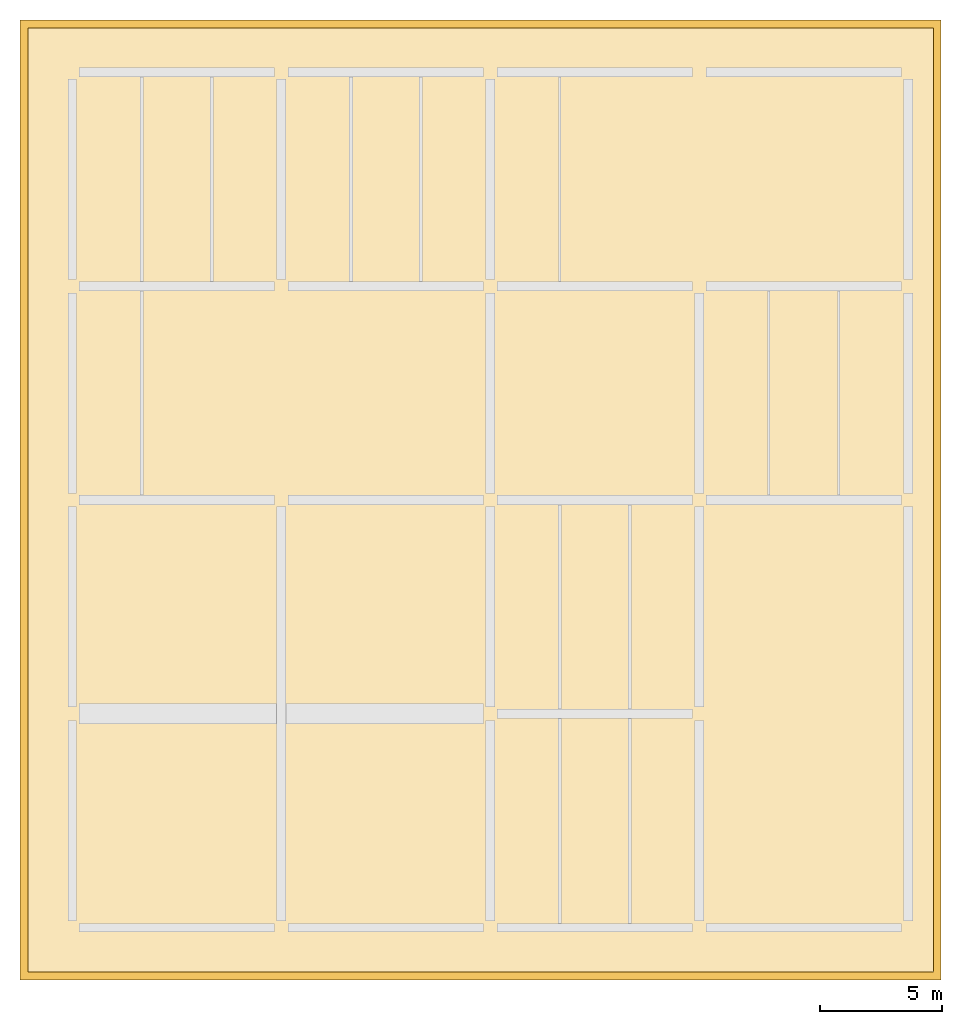
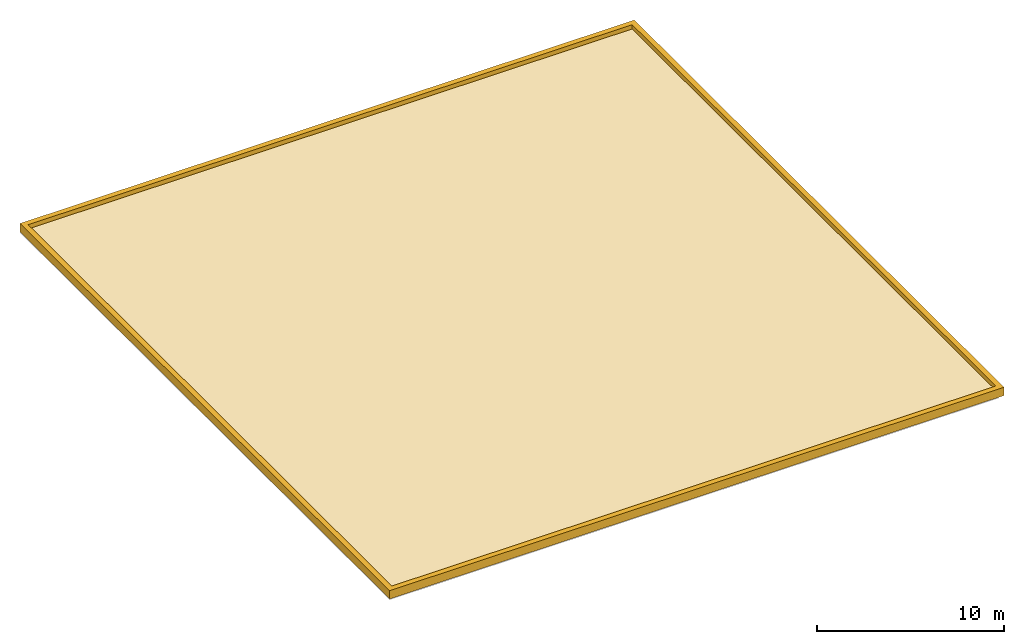
# One storey, part 2 of 2: 2 coverings.
"""IFC4 building model written with IfcOpenShell, lengths in metres."""

from ifc_helpers import new_model, si_unit, direction, frame, origin, place, context, subcontext, project, spatial, polyline, outline, extrude, material, layer, layer_set, type_object, element, save


model = new_model("IFC4")

# Units and contexts
model_context = context("Model", 3, precision=1e-05, world=origin(), true_north=direction((0.0, 1.0)))
body_context = subcontext(model_context, "Body", "Model", "MODEL_VIEW")
ifc_project = project(units=[si_unit("LENGTHUNIT", "METRE"), si_unit("AREAUNIT", "SQUARE_METRE"), si_unit("VOLUMEUNIT", "CUBIC_METRE"), si_unit("PLANEANGLEUNIT", "RADIAN"), si_unit("MASSUNIT", "GRAM", prefix="KILO")], contexts=[model_context])

# Site, building, storey
site_placement = place(None, origin())
site = spatial("IfcSite", under=ifc_project, at=site_placement, CompositionType="ELEMENT")
building_placement = place(site_placement, origin())
building = spatial("IfcBuilding", under=site, at=building_placement, Name="Varnakota Cinema and Media Centre", CompositionType="ELEMENT")
storey_placement = place(building_placement, frame((0.0, 0.0, 28.64990234375)))
storey = spatial("IfcBuildingStorey", under=building, at=storey_placement, Name="RF", CompositionType="ELEMENT", Elevation=28.64990234375)

# Coverings
ifc_material_1 = material(Name="Pale Tandur limestone cool roof", Category="masonry")
ifc_layer_1 = layer(ifc_material_1, 0.080078125)
ifc_layer_set_1 = layer_set([ifc_layer_1], Name="Pale Tandur limestone cool roof")
covering_type_1 = type_object("IfcCoveringType", Name="COV-COOLROOF-80", PredefinedType="ROOFING", material=ifc_layer_set_1)
covering_1_placement = place(storey_placement, origin())
element("IfcCovering", 1, at=covering_1_placement, inside=storey, type_object=covering_type_1, Name="RF cool roof membrane ROOF-V4-TOP", PredefinedType="ROOFING", context=body_context, shape_type="SweptSolid", body=[
    extrude(outline(polyline([(-2.14990234375, -2.14990234375), (35.39990234375, -2.14990234375), (35.39990234375, -1.800048828125), (35.75, -1.800048828125), (35.75, 37.35009765625), (-2.14990234375, 37.35009765625), (-2.14990234375, -2.14990234375)])), origin(), (0.0, 0.0, 1.0), 0.080078125),
])
ifc_material_2 = material(Name="Pale Tandur limestone cladding", Category="masonry")
ifc_layer_2 = layer(ifc_material_2, 0.1201171875)
ifc_layer_set_2 = layer_set([ifc_layer_2], Name="Pale Tandur limestone cladding")
covering_type_2 = type_object("IfcCoveringType", Name="COV-CORNICE-120", PredefinedType="ROOFING", material=ifc_layer_set_2)
covering_2_placement = place(storey_placement, frame((0.0, 0.0, -0.179931640625)))
element("IfcCovering", 2, at=covering_2_placement, inside=storey, type_object=covering_type_2, Name="RF pale Tandur stone projecting cornice crown", PredefinedType="ROOFING", context=body_context, shape_type="SweptSolid", body=[
    extrude(outline(polyline([(-2.14990234375, -2.14990234375), (35.75, -2.14990234375), (35.75, 37.35009765625), (-2.14990234375, 37.35009765625), (-2.14990234375, -2.14990234375)]), holes=[polyline([(-1.830078125, -1.830078125), (35.429931640625, -1.830078125), (35.429931640625, 37.030029296875), (-1.830078125, 37.030029296875), (-1.830078125, -1.830078125)])]), origin(), (0.0, 0.0, 1.0), 0.5400390625),
])

save(model, "model.ifc")
